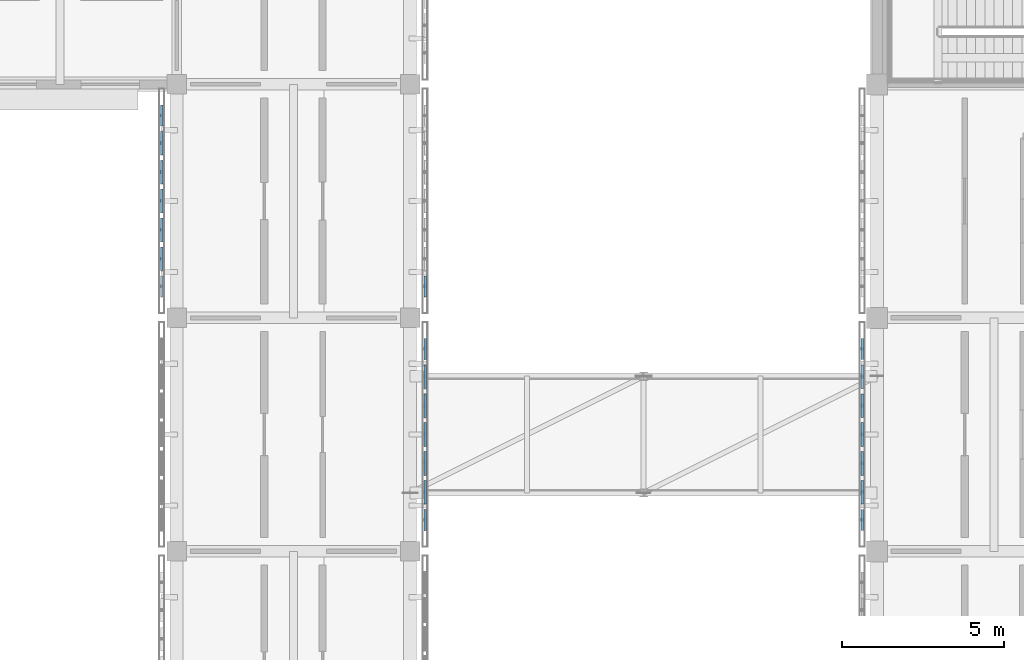
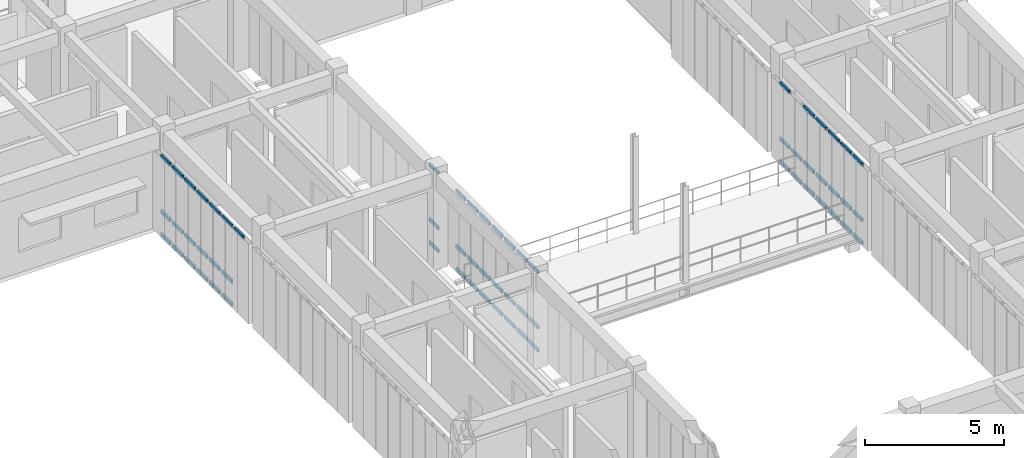
# One storey, part 87 of 171: 63 members, 4 elements without a shape of their own.
"""IFC4 building model written with IfcOpenShell, lengths in metres."""

from ifc_helpers import new_model, si_unit, direction, frame, origin, origin_2d, place, context, subcontext, project, spatial, hollow_rectangle, extrude, material, material_profile, profile_set, type_object, element, aggregate, save


model = new_model("IFC4")

# Units and contexts
model_context = context("Model", 3, precision=1e-05, world=origin(), true_north=direction((0.0, 1.0)))
body_context = subcontext(model_context, "Body", "Model", "MODEL_VIEW")
ifc_project = project(units=[si_unit("LENGTHUNIT", "METRE"), si_unit("AREAUNIT", "SQUARE_METRE"), si_unit("VOLUMEUNIT", "CUBIC_METRE"), si_unit("PLANEANGLEUNIT", "RADIAN"), si_unit("MASSUNIT", "GRAM", prefix="KILO")], contexts=[model_context])

# Site, building, storey
site_placement = place(None, origin())
site = spatial("IfcSite", under=ifc_project, at=site_placement, CompositionType="ELEMENT")
building_placement = place(site_placement, origin())
building = spatial("IfcBuilding", under=site, at=building_placement, Name="Aldebral Square Health Centre", CompositionType="ELEMENT")
storey_placement = place(building_placement, frame((0.0, 0.0, 4.5)))
storey = spatial("IfcBuildingStorey", under=building, at=storey_placement, Name="L01", CompositionType="ELEMENT", Elevation=4.5)

# Curtain wall, members
ifc_material_1 = material(Name="Aluminium and low-E solar glass", Category="aluminium")
curtain_wall_type = type_object("IfcCurtainWallType", Name="CW-FIN-SYS", PredefinedType="USERDEFINED", material=ifc_material_1)
curtain_wall_1_placement = place(storey_placement, origin())
curtain_wall_1 = element("IfcCurtainWall", 1, at=curtain_wall_1_placement, inside=storey, type_object=curtain_wall_type, Name="L01 V5 finned curtain wall L01-V5-19-11-E", ObjectType="SOLAR_CURTAIN_WALL", PredefinedType="USERDEFINED")
ifc_material_2 = material(Name="Anodised aluminium transom", Category="aluminium")
ifc_material_profile = material_profile(ifc_material_2, hollow_rectangle(XDim=0.074951171875, YDim=0.14990234375, WallThickness=0.00390625, at=origin_2d()), Name="CWT 75x150x4")
ifc_profile_set = profile_set([ifc_material_profile], Name="Anodised aluminium transom")
member_type = type_object("IfcMemberType", Name="CWT-STD", PredefinedType="USERDEFINED", material=ifc_profile_set)
member_1_placement = place(storey_placement, frame((144.4599609375, 79.840087890625, 0.03759765625), z_axis=(0.0, 1.0, 0.0), x_axis=(-1.0, 0.0, 0.0)))
member_1 = element("IfcMember", 2, at=member_1_placement, type_object=member_type, Name="CW1 transom 1.1", ObjectType="TRANSOM", PredefinedType="USERDEFINED", context=body_context, shape_type="SweptSolid", body=[
    extrude(hollow_rectangle(XDim=0.074951171875, YDim=0.14990234375, WallThickness=0.00390625, at=origin_2d()), origin(), (0.0, 0.0, 1.0), 0.6513671875),
])
member_2_placement = place(storey_placement, frame((144.4599609375, 79.840087890625, 1.050048828125), z_axis=(0.0, 1.0, 0.0), x_axis=(-1.0, 0.0, 0.0)))
member_2 = element("IfcMember", 3, at=member_2_placement, type_object=member_type, Name="CW1 transom 1.2", ObjectType="TRANSOM", PredefinedType="USERDEFINED", context=body_context, shape_type="SweptSolid", body=[
    extrude(hollow_rectangle(XDim=0.074951171875, YDim=0.14990234375, WallThickness=0.00390625, at=origin_2d()), origin(), (0.0, 0.0, 1.0), 0.6513671875),
])
member_3_placement = place(storey_placement, frame((144.4599609375, 79.840087890625, 3.482421875), z_axis=(0.0, 1.0, 0.0), x_axis=(-1.0, 0.0, 0.0)))
member_3 = element("IfcMember", 4, at=member_3_placement, type_object=member_type, Name="CW1 transom 1.3", ObjectType="TRANSOM", PredefinedType="USERDEFINED", context=body_context, shape_type="SweptSolid", body=[
    extrude(hollow_rectangle(XDim=0.074951171875, YDim=0.14990234375, WallThickness=0.00390625, at=origin_2d()), origin(), (0.0, 0.0, 1.0), 0.6513671875),
])
member_4_placement = place(storey_placement, frame((144.4599609375, 80.6513671875, 0.03759765625), z_axis=(0.0, 1.0, 0.0), x_axis=(-1.0, 0.0, 0.0)))
member_4 = element("IfcMember", 5, at=member_4_placement, type_object=member_type, Name="CW1 transom 2.1", ObjectType="TRANSOM", PredefinedType="USERDEFINED", context=body_context, shape_type="SweptSolid", body=[
    extrude(hollow_rectangle(XDim=0.074951171875, YDim=0.14990234375, WallThickness=0.00390625, at=origin_2d()), origin(), (0.0, 0.0, 1.0), 0.7314453125),
])
member_5_placement = place(storey_placement, frame((144.4599609375, 80.6513671875, 1.050048828125), z_axis=(0.0, 1.0, 0.0), x_axis=(-1.0, 0.0, 0.0)))
member_5 = element("IfcMember", 6, at=member_5_placement, type_object=member_type, Name="CW1 transom 2.2", ObjectType="TRANSOM", PredefinedType="USERDEFINED", context=body_context, shape_type="SweptSolid", body=[
    extrude(hollow_rectangle(XDim=0.074951171875, YDim=0.14990234375, WallThickness=0.00390625, at=origin_2d()), origin(), (0.0, 0.0, 1.0), 0.7314453125),
])
member_6_placement = place(storey_placement, frame((144.4599609375, 80.6513671875, 3.482421875), z_axis=(0.0, 1.0, 0.0), x_axis=(-1.0, 0.0, 0.0)))
member_6 = element("IfcMember", 7, at=member_6_placement, type_object=member_type, Name="CW1 transom 2.3", ObjectType="TRANSOM", PredefinedType="USERDEFINED", context=body_context, shape_type="SweptSolid", body=[
    extrude(hollow_rectangle(XDim=0.074951171875, YDim=0.14990234375, WallThickness=0.00390625, at=origin_2d()), origin(), (0.0, 0.0, 1.0), 0.7314453125),
])
member_7_placement = place(storey_placement, frame((144.4599609375, 81.54296875, 0.03759765625), z_axis=(0.0, 1.0, 0.0), x_axis=(-1.0, 0.0, 0.0)))
member_7 = element("IfcMember", 8, at=member_7_placement, type_object=member_type, Name="CW1 transom 3.1", ObjectType="TRANSOM", PredefinedType="USERDEFINED", context=body_context, shape_type="SweptSolid", body=[
    extrude(hollow_rectangle(XDim=0.074951171875, YDim=0.14990234375, WallThickness=0.00390625, at=origin_2d()), origin(), (0.0, 0.0, 1.0), 0.731201171875),
])
member_8_placement = place(storey_placement, frame((144.4599609375, 81.54296875, 1.050048828125), z_axis=(0.0, 1.0, 0.0), x_axis=(-1.0, 0.0, 0.0)))
member_8 = element("IfcMember", 9, at=member_8_placement, type_object=member_type, Name="CW1 transom 3.2", ObjectType="TRANSOM", PredefinedType="USERDEFINED", context=body_context, shape_type="SweptSolid", body=[
    extrude(hollow_rectangle(XDim=0.074951171875, YDim=0.14990234375, WallThickness=0.00390625, at=origin_2d()), origin(), (0.0, 0.0, 1.0), 0.731201171875),
])
member_9_placement = place(storey_placement, frame((144.4599609375, 81.54296875, 3.482421875), z_axis=(0.0, 1.0, 0.0), x_axis=(-1.0, 0.0, 0.0)))
member_9 = element("IfcMember", 10, at=member_9_placement, type_object=member_type, Name="CW1 transom 3.3", ObjectType="TRANSOM", PredefinedType="USERDEFINED", context=body_context, shape_type="SweptSolid", body=[
    extrude(hollow_rectangle(XDim=0.074951171875, YDim=0.14990234375, WallThickness=0.00390625, at=origin_2d()), origin(), (0.0, 0.0, 1.0), 0.731201171875),
])
member_10_placement = place(storey_placement, frame((144.4599609375, 82.434326171875, 0.03759765625), z_axis=(0.0, 1.0, 0.0), x_axis=(-1.0, 0.0, 0.0)))
member_10 = element("IfcMember", 11, at=member_10_placement, type_object=member_type, Name="CW1 transom 4.1", ObjectType="TRANSOM", PredefinedType="USERDEFINED", context=body_context, shape_type="SweptSolid", body=[
    extrude(hollow_rectangle(XDim=0.074951171875, YDim=0.14990234375, WallThickness=0.00390625, at=origin_2d()), origin(), (0.0, 0.0, 1.0), 0.7314453125),
])
member_11_placement = place(storey_placement, frame((144.4599609375, 82.434326171875, 1.050048828125), z_axis=(0.0, 1.0, 0.0), x_axis=(-1.0, 0.0, 0.0)))
member_11 = element("IfcMember", 12, at=member_11_placement, type_object=member_type, Name="CW1 transom 4.2", ObjectType="TRANSOM", PredefinedType="USERDEFINED", context=body_context, shape_type="SweptSolid", body=[
    extrude(hollow_rectangle(XDim=0.074951171875, YDim=0.14990234375, WallThickness=0.00390625, at=origin_2d()), origin(), (0.0, 0.0, 1.0), 0.7314453125),
])
member_12_placement = place(storey_placement, frame((144.4599609375, 82.434326171875, 3.482421875), z_axis=(0.0, 1.0, 0.0), x_axis=(-1.0, 0.0, 0.0)))
member_12 = element("IfcMember", 13, at=member_12_placement, type_object=member_type, Name="CW1 transom 4.3", ObjectType="TRANSOM", PredefinedType="USERDEFINED", context=body_context, shape_type="SweptSolid", body=[
    extrude(hollow_rectangle(XDim=0.074951171875, YDim=0.14990234375, WallThickness=0.00390625, at=origin_2d()), origin(), (0.0, 0.0, 1.0), 0.7314453125),
])
member_13_placement = place(storey_placement, frame((144.4599609375, 83.32568359375, 0.03759765625), z_axis=(0.0, 1.0, 0.0), x_axis=(-1.0, 0.0, 0.0)))
member_13 = element("IfcMember", 14, at=member_13_placement, type_object=member_type, Name="CW1 transom 5.1", ObjectType="TRANSOM", PredefinedType="USERDEFINED", context=body_context, shape_type="SweptSolid", body=[
    extrude(hollow_rectangle(XDim=0.074951171875, YDim=0.14990234375, WallThickness=0.00390625, at=origin_2d()), origin(), (0.0, 0.0, 1.0), 0.7314453125),
])
member_14_placement = place(storey_placement, frame((144.4599609375, 83.32568359375, 1.050048828125), z_axis=(0.0, 1.0, 0.0), x_axis=(-1.0, 0.0, 0.0)))
member_14 = element("IfcMember", 15, at=member_14_placement, type_object=member_type, Name="CW1 transom 5.2", ObjectType="TRANSOM", PredefinedType="USERDEFINED", context=body_context, shape_type="SweptSolid", body=[
    extrude(hollow_rectangle(XDim=0.074951171875, YDim=0.14990234375, WallThickness=0.00390625, at=origin_2d()), origin(), (0.0, 0.0, 1.0), 0.7314453125),
])
member_15_placement = place(storey_placement, frame((144.4599609375, 83.32568359375, 3.482421875), z_axis=(0.0, 1.0, 0.0), x_axis=(-1.0, 0.0, 0.0)))
member_15 = element("IfcMember", 16, at=member_15_placement, type_object=member_type, Name="CW1 transom 5.3", ObjectType="TRANSOM", PredefinedType="USERDEFINED", context=body_context, shape_type="SweptSolid", body=[
    extrude(hollow_rectangle(XDim=0.074951171875, YDim=0.14990234375, WallThickness=0.00390625, at=origin_2d()), origin(), (0.0, 0.0, 1.0), 0.7314453125),
])
member_16_placement = place(storey_placement, frame((144.4599609375, 84.217041015625, 0.03759765625), z_axis=(0.0, 1.0, 0.0), x_axis=(-1.0, 0.0, 0.0)))
member_16 = element("IfcMember", 17, at=member_16_placement, type_object=member_type, Name="CW1 transom 6.1", ObjectType="TRANSOM", PredefinedType="USERDEFINED", context=body_context, shape_type="SweptSolid", body=[
    extrude(hollow_rectangle(XDim=0.074951171875, YDim=0.14990234375, WallThickness=0.00390625, at=origin_2d()), origin(), (0.0, 0.0, 1.0), 0.7314453125),
])
member_17_placement = place(storey_placement, frame((144.4599609375, 84.217041015625, 1.050048828125), z_axis=(0.0, 1.0, 0.0), x_axis=(-1.0, 0.0, 0.0)))
member_17 = element("IfcMember", 18, at=member_17_placement, type_object=member_type, Name="CW1 transom 6.2", ObjectType="TRANSOM", PredefinedType="USERDEFINED", context=body_context, shape_type="SweptSolid", body=[
    extrude(hollow_rectangle(XDim=0.074951171875, YDim=0.14990234375, WallThickness=0.00390625, at=origin_2d()), origin(), (0.0, 0.0, 1.0), 0.7314453125),
])
member_18_placement = place(storey_placement, frame((144.4599609375, 84.217041015625, 3.482421875), z_axis=(0.0, 1.0, 0.0), x_axis=(-1.0, 0.0, 0.0)))
member_18 = element("IfcMember", 19, at=member_18_placement, type_object=member_type, Name="CW1 transom 6.3", ObjectType="TRANSOM", PredefinedType="USERDEFINED", context=body_context, shape_type="SweptSolid", body=[
    extrude(hollow_rectangle(XDim=0.074951171875, YDim=0.14990234375, WallThickness=0.00390625, at=origin_2d()), origin(), (0.0, 0.0, 1.0), 0.7314453125),
])
member_19_placement = place(storey_placement, frame((144.4599609375, 85.108642578125, 0.03759765625), z_axis=(0.0, 1.0, 0.0), x_axis=(-1.0, 0.0, 0.0)))
member_19 = element("IfcMember", 20, at=member_19_placement, type_object=member_type, Name="CW1 transom 7.1", ObjectType="TRANSOM", PredefinedType="USERDEFINED", context=body_context, shape_type="SweptSolid", body=[
    extrude(hollow_rectangle(XDim=0.074951171875, YDim=0.14990234375, WallThickness=0.00390625, at=origin_2d()), origin(), (0.0, 0.0, 1.0), 0.6513671875),
])
member_20_placement = place(storey_placement, frame((144.4599609375, 85.108642578125, 1.050048828125), z_axis=(0.0, 1.0, 0.0), x_axis=(-1.0, 0.0, 0.0)))
member_20 = element("IfcMember", 21, at=member_20_placement, type_object=member_type, Name="CW1 transom 7.2", ObjectType="TRANSOM", PredefinedType="USERDEFINED", context=body_context, shape_type="SweptSolid", body=[
    extrude(hollow_rectangle(XDim=0.074951171875, YDim=0.14990234375, WallThickness=0.00390625, at=origin_2d()), origin(), (0.0, 0.0, 1.0), 0.6513671875),
])
member_21_placement = place(storey_placement, frame((144.4599609375, 85.108642578125, 3.482421875), z_axis=(0.0, 1.0, 0.0), x_axis=(-1.0, 0.0, 0.0)))
member_21 = element("IfcMember", 22, at=member_21_placement, type_object=member_type, Name="CW1 transom 7.3", ObjectType="TRANSOM", PredefinedType="USERDEFINED", context=body_context, shape_type="SweptSolid", body=[
    extrude(hollow_rectangle(XDim=0.074951171875, YDim=0.14990234375, WallThickness=0.00390625, at=origin_2d()), origin(), (0.0, 0.0, 1.0), 0.6513671875),
])
aggregate(curtain_wall_1, [member_1, member_2, member_3, member_4, member_5, member_6, member_7, member_8, member_9, member_10, member_11, member_12, member_13, member_14, member_15, member_16, member_17, member_18, member_19, member_20, member_21])

curtain_wall_2_placement = place(storey_placement, origin())
curtain_wall_2 = element("IfcCurtainWall", 23, at=curtain_wall_2_placement, inside=storey, type_object=curtain_wall_type, Name="L01 V5 finned curtain wall L01-V5-19-12-W", ObjectType="SOLAR_CURTAIN_WALL", PredefinedType="USERDEFINED")
member_22_placement = place(storey_placement, frame((136.340087890625, 92.9599609375, 0.03759765625), z_axis=(0.0, -1.0, 0.0), x_axis=(1.0, 0.0, 0.0)))
member_22 = element("IfcMember", 24, at=member_22_placement, type_object=member_type, Name="CW1 transom 1.1", ObjectType="TRANSOM", PredefinedType="USERDEFINED", context=body_context, shape_type="SweptSolid", body=[
    extrude(hollow_rectangle(XDim=0.074951171875, YDim=0.14990234375, WallThickness=0.00390625, at=origin_2d()), origin(), (0.0, 0.0, 1.0), 0.6513671875),
])
member_23_placement = place(storey_placement, frame((136.340087890625, 92.9599609375, 1.050048828125), z_axis=(0.0, -1.0, 0.0), x_axis=(1.0, 0.0, 0.0)))
member_23 = element("IfcMember", 25, at=member_23_placement, type_object=member_type, Name="CW1 transom 1.2", ObjectType="TRANSOM", PredefinedType="USERDEFINED", context=body_context, shape_type="SweptSolid", body=[
    extrude(hollow_rectangle(XDim=0.074951171875, YDim=0.14990234375, WallThickness=0.00390625, at=origin_2d()), origin(), (0.0, 0.0, 1.0), 0.6513671875),
])
member_24_placement = place(storey_placement, frame((136.340087890625, 92.9599609375, 3.482421875), z_axis=(0.0, -1.0, 0.0), x_axis=(1.0, 0.0, 0.0)))
member_24 = element("IfcMember", 26, at=member_24_placement, type_object=member_type, Name="CW1 transom 1.3", ObjectType="TRANSOM", PredefinedType="USERDEFINED", context=body_context, shape_type="SweptSolid", body=[
    extrude(hollow_rectangle(XDim=0.074951171875, YDim=0.14990234375, WallThickness=0.00390625, at=origin_2d()), origin(), (0.0, 0.0, 1.0), 0.6513671875),
])
member_25_placement = place(storey_placement, frame((136.340087890625, 92.148681640625, 0.03759765625), z_axis=(0.0, -1.0, 0.0), x_axis=(1.0, 0.0, 0.0)))
member_25 = element("IfcMember", 27, at=member_25_placement, type_object=member_type, Name="CW1 transom 2.1", ObjectType="TRANSOM", PredefinedType="USERDEFINED", context=body_context, shape_type="SweptSolid", body=[
    extrude(hollow_rectangle(XDim=0.074951171875, YDim=0.14990234375, WallThickness=0.00390625, at=origin_2d()), origin(), (0.0, 0.0, 1.0), 0.7314453125),
])
member_26_placement = place(storey_placement, frame((136.340087890625, 92.148681640625, 1.050048828125), z_axis=(0.0, -1.0, 0.0), x_axis=(1.0, 0.0, 0.0)))
member_26 = element("IfcMember", 28, at=member_26_placement, type_object=member_type, Name="CW1 transom 2.2", ObjectType="TRANSOM", PredefinedType="USERDEFINED", context=body_context, shape_type="SweptSolid", body=[
    extrude(hollow_rectangle(XDim=0.074951171875, YDim=0.14990234375, WallThickness=0.00390625, at=origin_2d()), origin(), (0.0, 0.0, 1.0), 0.7314453125),
])
member_27_placement = place(storey_placement, frame((136.340087890625, 92.148681640625, 3.482421875), z_axis=(0.0, -1.0, 0.0), x_axis=(1.0, 0.0, 0.0)))
member_27 = element("IfcMember", 29, at=member_27_placement, type_object=member_type, Name="CW1 transom 2.3", ObjectType="TRANSOM", PredefinedType="USERDEFINED", context=body_context, shape_type="SweptSolid", body=[
    extrude(hollow_rectangle(XDim=0.074951171875, YDim=0.14990234375, WallThickness=0.00390625, at=origin_2d()), origin(), (0.0, 0.0, 1.0), 0.7314453125),
])
member_28_placement = place(storey_placement, frame((136.340087890625, 91.257080078125, 0.03759765625), z_axis=(0.0, -1.0, 0.0), x_axis=(1.0, 0.0, 0.0)))
member_28 = element("IfcMember", 30, at=member_28_placement, type_object=member_type, Name="CW1 transom 3.1", ObjectType="TRANSOM", PredefinedType="USERDEFINED", context=body_context, shape_type="SweptSolid", body=[
    extrude(hollow_rectangle(XDim=0.074951171875, YDim=0.14990234375, WallThickness=0.00390625, at=origin_2d()), origin(), (0.0, 0.0, 1.0), 0.7314453125),
])
member_29_placement = place(storey_placement, frame((136.340087890625, 91.257080078125, 1.050048828125), z_axis=(0.0, -1.0, 0.0), x_axis=(1.0, 0.0, 0.0)))
member_29 = element("IfcMember", 31, at=member_29_placement, type_object=member_type, Name="CW1 transom 3.2", ObjectType="TRANSOM", PredefinedType="USERDEFINED", context=body_context, shape_type="SweptSolid", body=[
    extrude(hollow_rectangle(XDim=0.074951171875, YDim=0.14990234375, WallThickness=0.00390625, at=origin_2d()), origin(), (0.0, 0.0, 1.0), 0.7314453125),
])
member_30_placement = place(storey_placement, frame((136.340087890625, 91.257080078125, 3.482421875), z_axis=(0.0, -1.0, 0.0), x_axis=(1.0, 0.0, 0.0)))
member_30 = element("IfcMember", 32, at=member_30_placement, type_object=member_type, Name="CW1 transom 3.3", ObjectType="TRANSOM", PredefinedType="USERDEFINED", context=body_context, shape_type="SweptSolid", body=[
    extrude(hollow_rectangle(XDim=0.074951171875, YDim=0.14990234375, WallThickness=0.00390625, at=origin_2d()), origin(), (0.0, 0.0, 1.0), 0.7314453125),
])
member_31_placement = place(storey_placement, frame((136.340087890625, 90.36572265625, 0.03759765625), z_axis=(0.0, -1.0, 0.0), x_axis=(1.0, 0.0, 0.0)))
member_31 = element("IfcMember", 33, at=member_31_placement, type_object=member_type, Name="CW1 transom 4.1", ObjectType="TRANSOM", PredefinedType="USERDEFINED", context=body_context, shape_type="SweptSolid", body=[
    extrude(hollow_rectangle(XDim=0.074951171875, YDim=0.14990234375, WallThickness=0.00390625, at=origin_2d()), origin(), (0.0, 0.0, 1.0), 0.7314453125),
])
member_32_placement = place(storey_placement, frame((136.340087890625, 90.36572265625, 1.050048828125), z_axis=(0.0, -1.0, 0.0), x_axis=(1.0, 0.0, 0.0)))
member_32 = element("IfcMember", 34, at=member_32_placement, type_object=member_type, Name="CW1 transom 4.2", ObjectType="TRANSOM", PredefinedType="USERDEFINED", context=body_context, shape_type="SweptSolid", body=[
    extrude(hollow_rectangle(XDim=0.074951171875, YDim=0.14990234375, WallThickness=0.00390625, at=origin_2d()), origin(), (0.0, 0.0, 1.0), 0.7314453125),
])
member_33_placement = place(storey_placement, frame((136.340087890625, 90.36572265625, 3.482421875), z_axis=(0.0, -1.0, 0.0), x_axis=(1.0, 0.0, 0.0)))
member_33 = element("IfcMember", 35, at=member_33_placement, type_object=member_type, Name="CW1 transom 4.3", ObjectType="TRANSOM", PredefinedType="USERDEFINED", context=body_context, shape_type="SweptSolid", body=[
    extrude(hollow_rectangle(XDim=0.074951171875, YDim=0.14990234375, WallThickness=0.00390625, at=origin_2d()), origin(), (0.0, 0.0, 1.0), 0.7314453125),
])
member_34_placement = place(storey_placement, frame((136.340087890625, 89.474365234375, 0.03759765625), z_axis=(0.0, -1.0, 0.0), x_axis=(1.0, 0.0, 0.0)))
member_34 = element("IfcMember", 36, at=member_34_placement, type_object=member_type, Name="CW1 transom 5.1", ObjectType="TRANSOM", PredefinedType="USERDEFINED", context=body_context, shape_type="SweptSolid", body=[
    extrude(hollow_rectangle(XDim=0.074951171875, YDim=0.14990234375, WallThickness=0.00390625, at=origin_2d()), origin(), (0.0, 0.0, 1.0), 0.7314453125),
])
member_35_placement = place(storey_placement, frame((136.340087890625, 89.474365234375, 1.050048828125), z_axis=(0.0, -1.0, 0.0), x_axis=(1.0, 0.0, 0.0)))
member_35 = element("IfcMember", 37, at=member_35_placement, type_object=member_type, Name="CW1 transom 5.2", ObjectType="TRANSOM", PredefinedType="USERDEFINED", context=body_context, shape_type="SweptSolid", body=[
    extrude(hollow_rectangle(XDim=0.074951171875, YDim=0.14990234375, WallThickness=0.00390625, at=origin_2d()), origin(), (0.0, 0.0, 1.0), 0.7314453125),
])
member_36_placement = place(storey_placement, frame((136.340087890625, 89.474365234375, 3.482421875), z_axis=(0.0, -1.0, 0.0), x_axis=(1.0, 0.0, 0.0)))
member_36 = element("IfcMember", 38, at=member_36_placement, type_object=member_type, Name="CW1 transom 5.3", ObjectType="TRANSOM", PredefinedType="USERDEFINED", context=body_context, shape_type="SweptSolid", body=[
    extrude(hollow_rectangle(XDim=0.074951171875, YDim=0.14990234375, WallThickness=0.00390625, at=origin_2d()), origin(), (0.0, 0.0, 1.0), 0.7314453125),
])
member_37_placement = place(storey_placement, frame((136.340087890625, 88.582763671875, 0.03759765625), z_axis=(0.0, -1.0, 0.0), x_axis=(1.0, 0.0, 0.0)))
member_37 = element("IfcMember", 39, at=member_37_placement, type_object=member_type, Name="CW1 transom 6.1", ObjectType="TRANSOM", PredefinedType="USERDEFINED", context=body_context, shape_type="SweptSolid", body=[
    extrude(hollow_rectangle(XDim=0.074951171875, YDim=0.14990234375, WallThickness=0.00390625, at=origin_2d()), origin(), (0.0, 0.0, 1.0), 0.7314453125),
])
member_38_placement = place(storey_placement, frame((136.340087890625, 88.582763671875, 1.050048828125), z_axis=(0.0, -1.0, 0.0), x_axis=(1.0, 0.0, 0.0)))
member_38 = element("IfcMember", 40, at=member_38_placement, type_object=member_type, Name="CW1 transom 6.2", ObjectType="TRANSOM", PredefinedType="USERDEFINED", context=body_context, shape_type="SweptSolid", body=[
    extrude(hollow_rectangle(XDim=0.074951171875, YDim=0.14990234375, WallThickness=0.00390625, at=origin_2d()), origin(), (0.0, 0.0, 1.0), 0.7314453125),
])
member_39_placement = place(storey_placement, frame((136.340087890625, 88.582763671875, 3.482421875), z_axis=(0.0, -1.0, 0.0), x_axis=(1.0, 0.0, 0.0)))
member_39 = element("IfcMember", 41, at=member_39_placement, type_object=member_type, Name="CW1 transom 6.3", ObjectType="TRANSOM", PredefinedType="USERDEFINED", context=body_context, shape_type="SweptSolid", body=[
    extrude(hollow_rectangle(XDim=0.074951171875, YDim=0.14990234375, WallThickness=0.00390625, at=origin_2d()), origin(), (0.0, 0.0, 1.0), 0.7314453125),
])
member_40_placement = place(storey_placement, frame((136.340087890625, 87.69140625, 3.482421875), z_axis=(0.0, -1.0, 0.0), x_axis=(1.0, 0.0, 0.0)))
member_40 = element("IfcMember", 42, at=member_40_placement, type_object=member_type, Name="CW1 transom 7.3", ObjectType="TRANSOM", PredefinedType="USERDEFINED", context=body_context, shape_type="SweptSolid", body=[
    extrude(hollow_rectangle(XDim=0.074951171875, YDim=0.14990234375, WallThickness=0.00390625, at=origin_2d()), origin(), (0.0, 0.0, 1.0), 0.6513671875),
])
aggregate(curtain_wall_2, [member_22, member_23, member_24, member_25, member_26, member_27, member_28, member_29, member_30, member_31, member_32, member_33, member_34, member_35, member_36, member_37, member_38, member_39, member_40])

curtain_wall_3_placement = place(storey_placement, origin())
curtain_wall_3 = element("IfcCurtainWall", 43, at=curtain_wall_3_placement, inside=storey, type_object=curtain_wall_type, Name="L01 V5 finned curtain wall L01-V5-19-12-E", ObjectType="SOLAR_CURTAIN_WALL", PredefinedType="USERDEFINED")
member_41_placement = place(storey_placement, frame((144.4599609375, 87.0400390625, 0.03759765625), z_axis=(0.0, 1.0, 0.0), x_axis=(-1.0, 0.0, 0.0)))
member_41 = element("IfcMember", 44, at=member_41_placement, type_object=member_type, Name="CW1 transom 1.1", ObjectType="TRANSOM", PredefinedType="USERDEFINED", context=body_context, shape_type="SweptSolid", body=[
    extrude(hollow_rectangle(XDim=0.074951171875, YDim=0.14990234375, WallThickness=0.00390625, at=origin_2d()), origin(), (0.0, 0.0, 1.0), 0.6513671875),
])
member_42_placement = place(storey_placement, frame((144.4599609375, 87.0400390625, 1.050048828125), z_axis=(0.0, 1.0, 0.0), x_axis=(-1.0, 0.0, 0.0)))
member_42 = element("IfcMember", 45, at=member_42_placement, type_object=member_type, Name="CW1 transom 1.2", ObjectType="TRANSOM", PredefinedType="USERDEFINED", context=body_context, shape_type="SweptSolid", body=[
    extrude(hollow_rectangle(XDim=0.074951171875, YDim=0.14990234375, WallThickness=0.00390625, at=origin_2d()), origin(), (0.0, 0.0, 1.0), 0.6513671875),
])
member_43_placement = place(storey_placement, frame((144.4599609375, 87.0400390625, 3.482421875), z_axis=(0.0, 1.0, 0.0), x_axis=(-1.0, 0.0, 0.0)))
member_43 = element("IfcMember", 46, at=member_43_placement, type_object=member_type, Name="CW1 transom 1.3", ObjectType="TRANSOM", PredefinedType="USERDEFINED", context=body_context, shape_type="SweptSolid", body=[
    extrude(hollow_rectangle(XDim=0.074951171875, YDim=0.14990234375, WallThickness=0.00390625, at=origin_2d()), origin(), (0.0, 0.0, 1.0), 0.6513671875),
])
aggregate(curtain_wall_3, [member_41, member_42, member_43])

curtain_wall_4_placement = place(storey_placement, origin())
curtain_wall_4 = element("IfcCurtainWall", 47, at=curtain_wall_4_placement, inside=storey, type_object=curtain_wall_type, Name="L01 V5 finned curtain wall L01-V5-22-11-W", ObjectType="SOLAR_CURTAIN_WALL", PredefinedType="USERDEFINED")
member_44_placement = place(storey_placement, frame((157.93994140625, 85.760009765625, 0.03759765625), z_axis=(0.0, -1.0, 0.0), x_axis=(1.0, 0.0, 0.0)))
member_44 = element("IfcMember", 48, at=member_44_placement, type_object=member_type, Name="CW1 transom 1.1", ObjectType="TRANSOM", PredefinedType="USERDEFINED", context=body_context, shape_type="SweptSolid", body=[
    extrude(hollow_rectangle(XDim=0.074951171875, YDim=0.14990234375, WallThickness=0.00390625, at=origin_2d()), origin(), (0.0, 0.0, 1.0), 0.6513671875),
])
member_45_placement = place(storey_placement, frame((157.93994140625, 85.760009765625, 1.050048828125), z_axis=(0.0, -1.0, 0.0), x_axis=(1.0, 0.0, 0.0)))
member_45 = element("IfcMember", 49, at=member_45_placement, type_object=member_type, Name="CW1 transom 1.2", ObjectType="TRANSOM", PredefinedType="USERDEFINED", context=body_context, shape_type="SweptSolid", body=[
    extrude(hollow_rectangle(XDim=0.074951171875, YDim=0.14990234375, WallThickness=0.00390625, at=origin_2d()), origin(), (0.0, 0.0, 1.0), 0.6513671875),
])
member_46_placement = place(storey_placement, frame((157.93994140625, 85.760009765625, 3.482421875), z_axis=(0.0, -1.0, 0.0), x_axis=(1.0, 0.0, 0.0)))
member_46 = element("IfcMember", 50, at=member_46_placement, type_object=member_type, Name="CW1 transom 1.3", ObjectType="TRANSOM", PredefinedType="USERDEFINED", context=body_context, shape_type="SweptSolid", body=[
    extrude(hollow_rectangle(XDim=0.074951171875, YDim=0.14990234375, WallThickness=0.00390625, at=origin_2d()), origin(), (0.0, 0.0, 1.0), 0.6513671875),
])
member_47_placement = place(storey_placement, frame((157.93994140625, 84.948486328125, 0.03759765625), z_axis=(0.0, -1.0, 0.0), x_axis=(1.0, 0.0, 0.0)))
member_47 = element("IfcMember", 51, at=member_47_placement, type_object=member_type, Name="CW1 transom 2.1", ObjectType="TRANSOM", PredefinedType="USERDEFINED", context=body_context, shape_type="SweptSolid", body=[
    extrude(hollow_rectangle(XDim=0.074951171875, YDim=0.14990234375, WallThickness=0.00390625, at=origin_2d()), origin(), (0.0, 0.0, 1.0), 0.7314453125),
])
member_48_placement = place(storey_placement, frame((157.93994140625, 84.948486328125, 1.050048828125), z_axis=(0.0, -1.0, 0.0), x_axis=(1.0, 0.0, 0.0)))
member_48 = element("IfcMember", 52, at=member_48_placement, type_object=member_type, Name="CW1 transom 2.2", ObjectType="TRANSOM", PredefinedType="USERDEFINED", context=body_context, shape_type="SweptSolid", body=[
    extrude(hollow_rectangle(XDim=0.074951171875, YDim=0.14990234375, WallThickness=0.00390625, at=origin_2d()), origin(), (0.0, 0.0, 1.0), 0.7314453125),
])
member_49_placement = place(storey_placement, frame((157.93994140625, 84.05712890625, 0.03759765625), z_axis=(0.0, -1.0, 0.0), x_axis=(1.0, 0.0, 0.0)))
member_49 = element("IfcMember", 53, at=member_49_placement, type_object=member_type, Name="CW1 transom 3.1", ObjectType="TRANSOM", PredefinedType="USERDEFINED", context=body_context, shape_type="SweptSolid", body=[
    extrude(hollow_rectangle(XDim=0.074951171875, YDim=0.14990234375, WallThickness=0.00390625, at=origin_2d()), origin(), (0.0, 0.0, 1.0), 0.7314453125),
])
member_50_placement = place(storey_placement, frame((157.93994140625, 84.05712890625, 1.050048828125), z_axis=(0.0, -1.0, 0.0), x_axis=(1.0, 0.0, 0.0)))
member_50 = element("IfcMember", 54, at=member_50_placement, type_object=member_type, Name="CW1 transom 3.2", ObjectType="TRANSOM", PredefinedType="USERDEFINED", context=body_context, shape_type="SweptSolid", body=[
    extrude(hollow_rectangle(XDim=0.074951171875, YDim=0.14990234375, WallThickness=0.00390625, at=origin_2d()), origin(), (0.0, 0.0, 1.0), 0.7314453125),
])
member_51_placement = place(storey_placement, frame((157.93994140625, 84.05712890625, 3.482421875), z_axis=(0.0, -1.0, 0.0), x_axis=(1.0, 0.0, 0.0)))
member_51 = element("IfcMember", 55, at=member_51_placement, type_object=member_type, Name="CW1 transom 3.3", ObjectType="TRANSOM", PredefinedType="USERDEFINED", context=body_context, shape_type="SweptSolid", body=[
    extrude(hollow_rectangle(XDim=0.074951171875, YDim=0.14990234375, WallThickness=0.00390625, at=origin_2d()), origin(), (0.0, 0.0, 1.0), 0.7314453125),
])
member_52_placement = place(storey_placement, frame((157.93994140625, 83.165771484375, 0.03759765625), z_axis=(0.0, -1.0, 0.0), x_axis=(1.0, 0.0, 0.0)))
member_52 = element("IfcMember", 56, at=member_52_placement, type_object=member_type, Name="CW1 transom 4.1", ObjectType="TRANSOM", PredefinedType="USERDEFINED", context=body_context, shape_type="SweptSolid", body=[
    extrude(hollow_rectangle(XDim=0.074951171875, YDim=0.14990234375, WallThickness=0.00390625, at=origin_2d()), origin(), (0.0, 0.0, 1.0), 0.7314453125),
])
member_53_placement = place(storey_placement, frame((157.93994140625, 83.165771484375, 1.050048828125), z_axis=(0.0, -1.0, 0.0), x_axis=(1.0, 0.0, 0.0)))
member_53 = element("IfcMember", 57, at=member_53_placement, type_object=member_type, Name="CW1 transom 4.2", ObjectType="TRANSOM", PredefinedType="USERDEFINED", context=body_context, shape_type="SweptSolid", body=[
    extrude(hollow_rectangle(XDim=0.074951171875, YDim=0.14990234375, WallThickness=0.00390625, at=origin_2d()), origin(), (0.0, 0.0, 1.0), 0.7314453125),
])
member_54_placement = place(storey_placement, frame((157.93994140625, 83.165771484375, 3.482421875), z_axis=(0.0, -1.0, 0.0), x_axis=(1.0, 0.0, 0.0)))
member_54 = element("IfcMember", 58, at=member_54_placement, type_object=member_type, Name="CW1 transom 4.3", ObjectType="TRANSOM", PredefinedType="USERDEFINED", context=body_context, shape_type="SweptSolid", body=[
    extrude(hollow_rectangle(XDim=0.074951171875, YDim=0.14990234375, WallThickness=0.00390625, at=origin_2d()), origin(), (0.0, 0.0, 1.0), 0.7314453125),
])
member_55_placement = place(storey_placement, frame((157.93994140625, 82.274169921875, 0.03759765625), z_axis=(0.0, -1.0, 0.0), x_axis=(1.0, 0.0, 0.0)))
member_55 = element("IfcMember", 59, at=member_55_placement, type_object=member_type, Name="CW1 transom 5.1", ObjectType="TRANSOM", PredefinedType="USERDEFINED", context=body_context, shape_type="SweptSolid", body=[
    extrude(hollow_rectangle(XDim=0.074951171875, YDim=0.14990234375, WallThickness=0.00390625, at=origin_2d()), origin(), (0.0, 0.0, 1.0), 0.731201171875),
])
member_56_placement = place(storey_placement, frame((157.93994140625, 82.274169921875, 1.050048828125), z_axis=(0.0, -1.0, 0.0), x_axis=(1.0, 0.0, 0.0)))
member_56 = element("IfcMember", 60, at=member_56_placement, type_object=member_type, Name="CW1 transom 5.2", ObjectType="TRANSOM", PredefinedType="USERDEFINED", context=body_context, shape_type="SweptSolid", body=[
    extrude(hollow_rectangle(XDim=0.074951171875, YDim=0.14990234375, WallThickness=0.00390625, at=origin_2d()), origin(), (0.0, 0.0, 1.0), 0.731201171875),
])
member_57_placement = place(storey_placement, frame((157.93994140625, 82.274169921875, 3.482421875), z_axis=(0.0, -1.0, 0.0), x_axis=(1.0, 0.0, 0.0)))
member_57 = element("IfcMember", 61, at=member_57_placement, type_object=member_type, Name="CW1 transom 5.3", ObjectType="TRANSOM", PredefinedType="USERDEFINED", context=body_context, shape_type="SweptSolid", body=[
    extrude(hollow_rectangle(XDim=0.074951171875, YDim=0.14990234375, WallThickness=0.00390625, at=origin_2d()), origin(), (0.0, 0.0, 1.0), 0.731201171875),
])
member_58_placement = place(storey_placement, frame((157.93994140625, 81.3828125, 0.03759765625), z_axis=(0.0, -1.0, 0.0), x_axis=(1.0, 0.0, 0.0)))
member_58 = element("IfcMember", 62, at=member_58_placement, type_object=member_type, Name="CW1 transom 6.1", ObjectType="TRANSOM", PredefinedType="USERDEFINED", context=body_context, shape_type="SweptSolid", body=[
    extrude(hollow_rectangle(XDim=0.074951171875, YDim=0.14990234375, WallThickness=0.00390625, at=origin_2d()), origin(), (0.0, 0.0, 1.0), 0.7314453125),
])
member_59_placement = place(storey_placement, frame((157.93994140625, 81.3828125, 1.050048828125), z_axis=(0.0, -1.0, 0.0), x_axis=(1.0, 0.0, 0.0)))
member_59 = element("IfcMember", 63, at=member_59_placement, type_object=member_type, Name="CW1 transom 6.2", ObjectType="TRANSOM", PredefinedType="USERDEFINED", context=body_context, shape_type="SweptSolid", body=[
    extrude(hollow_rectangle(XDim=0.074951171875, YDim=0.14990234375, WallThickness=0.00390625, at=origin_2d()), origin(), (0.0, 0.0, 1.0), 0.7314453125),
])
member_60_placement = place(storey_placement, frame((157.93994140625, 81.3828125, 3.482421875), z_axis=(0.0, -1.0, 0.0), x_axis=(1.0, 0.0, 0.0)))
member_60 = element("IfcMember", 64, at=member_60_placement, type_object=member_type, Name="CW1 transom 6.3", ObjectType="TRANSOM", PredefinedType="USERDEFINED", context=body_context, shape_type="SweptSolid", body=[
    extrude(hollow_rectangle(XDim=0.074951171875, YDim=0.14990234375, WallThickness=0.00390625, at=origin_2d()), origin(), (0.0, 0.0, 1.0), 0.7314453125),
])
member_61_placement = place(storey_placement, frame((157.93994140625, 80.491455078125, 0.03759765625), z_axis=(0.0, -1.0, 0.0), x_axis=(1.0, 0.0, 0.0)))
member_61 = element("IfcMember", 65, at=member_61_placement, type_object=member_type, Name="CW1 transom 7.1", ObjectType="TRANSOM", PredefinedType="USERDEFINED", context=body_context, shape_type="SweptSolid", body=[
    extrude(hollow_rectangle(XDim=0.074951171875, YDim=0.14990234375, WallThickness=0.00390625, at=origin_2d()), origin(), (0.0, 0.0, 1.0), 0.6513671875),
])
member_62_placement = place(storey_placement, frame((157.93994140625, 80.491455078125, 1.050048828125), z_axis=(0.0, -1.0, 0.0), x_axis=(1.0, 0.0, 0.0)))
member_62 = element("IfcMember", 66, at=member_62_placement, type_object=member_type, Name="CW1 transom 7.2", ObjectType="TRANSOM", PredefinedType="USERDEFINED", context=body_context, shape_type="SweptSolid", body=[
    extrude(hollow_rectangle(XDim=0.074951171875, YDim=0.14990234375, WallThickness=0.00390625, at=origin_2d()), origin(), (0.0, 0.0, 1.0), 0.6513671875),
])
member_63_placement = place(storey_placement, frame((157.93994140625, 80.491455078125, 3.482421875), z_axis=(0.0, -1.0, 0.0), x_axis=(1.0, 0.0, 0.0)))
member_63 = element("IfcMember", 67, at=member_63_placement, type_object=member_type, Name="CW1 transom 7.3", ObjectType="TRANSOM", PredefinedType="USERDEFINED", context=body_context, shape_type="SweptSolid", body=[
    extrude(hollow_rectangle(XDim=0.074951171875, YDim=0.14990234375, WallThickness=0.00390625, at=origin_2d()), origin(), (0.0, 0.0, 1.0), 0.6513671875),
])
aggregate(curtain_wall_4, [member_44, member_45, member_46, member_47, member_48, member_49, member_50, member_51, member_52, member_53, member_54, member_55, member_56, member_57, member_58, member_59, member_60, member_61, member_62, member_63])

save(model, "model.ifc")
